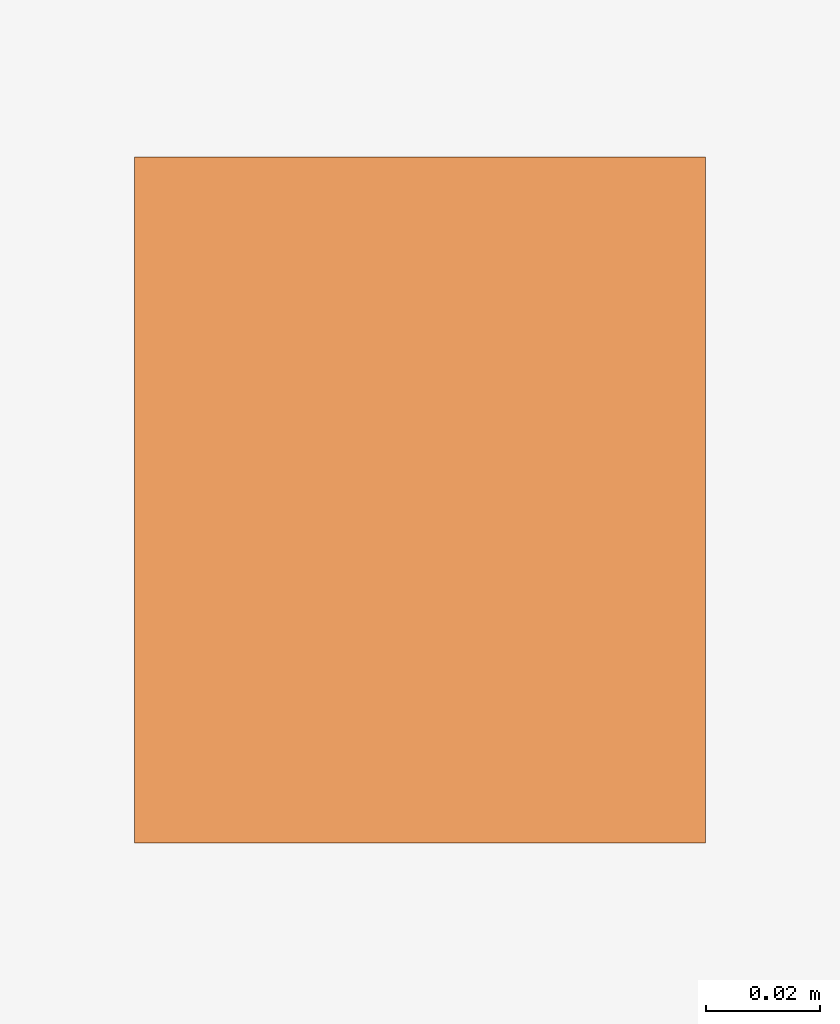
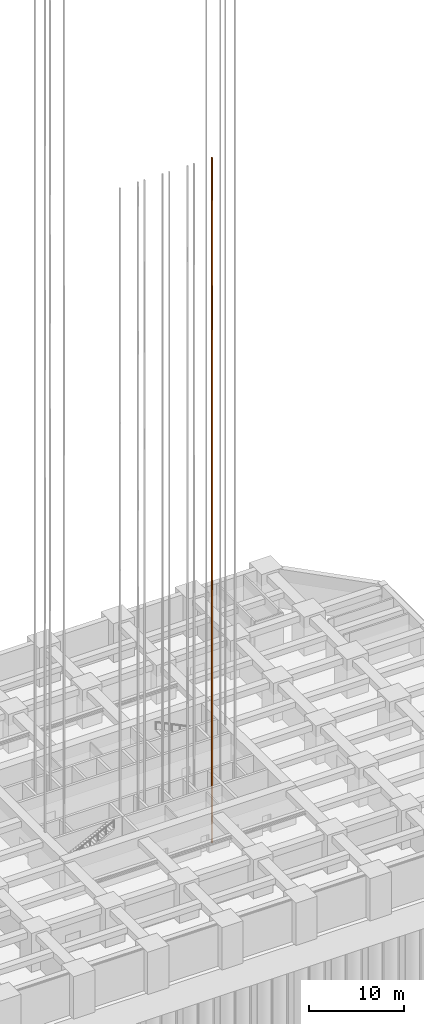
# One storey, part 20 of 24: 1 proxy.
"""IFC4 building model written with IfcOpenShell, lengths in metres."""

from ifc_helpers import new_model, si_unit, direction, frame, origin, origin_2d, place, context, subcontext, project, spatial, rectangle, extrude, element, save


model = new_model("IFC4")

# Units and contexts
model_context = context("Model", 3, precision=1e-05, world=origin(), true_north=direction((0.0, 1.0)))
body_context = subcontext(model_context, "Body", "Model", "MODEL_VIEW")
ifc_project = project(units=[si_unit("LENGTHUNIT", "METRE"), si_unit("AREAUNIT", "SQUARE_METRE"), si_unit("VOLUMEUNIT", "CUBIC_METRE"), si_unit("PLANEANGLEUNIT", "RADIAN"), si_unit("MASSUNIT", "GRAM", prefix="KILO")], contexts=[model_context])

# Site, building, storey
site_placement = place(None, origin())
site = spatial("IfcSite", under=ifc_project, at=site_placement, CompositionType="ELEMENT")
building_placement = place(site_placement, origin())
building = spatial("IfcBuilding", under=site, at=building_placement, Name="Zorevar Civic Tower", CompositionType="ELEMENT")
storey_placement = place(building_placement, frame((0.0, 0.0, -5.0)))
storey = spatial("IfcBuildingStorey", under=building, at=storey_placement, Name="B1", CompositionType="ELEMENT", Elevation=-5.0)

# Proxy
proxy_placement = place(storey_placement, frame((38.60009765625, 23.10009765625, -3.35009765625), z_axis=(0.0, 0.0, 1.0), x_axis=(1.0, 0.0, 0.0)))
element("IfcBuildingElementProxy", 1, at=proxy_placement, inside=storey, Name="Passenger lift LP4 guide rail 2", PredefinedType="NOTDEFINED", context=body_context, shape_type="SweptSolid", body=[
    extrude(rectangle(XDim=0.10009765625, YDim=0.1201171875, at=origin_2d()), origin(), (0.0, 0.0, 1.0), 88.0),
])

save(model, "model.ifc")
